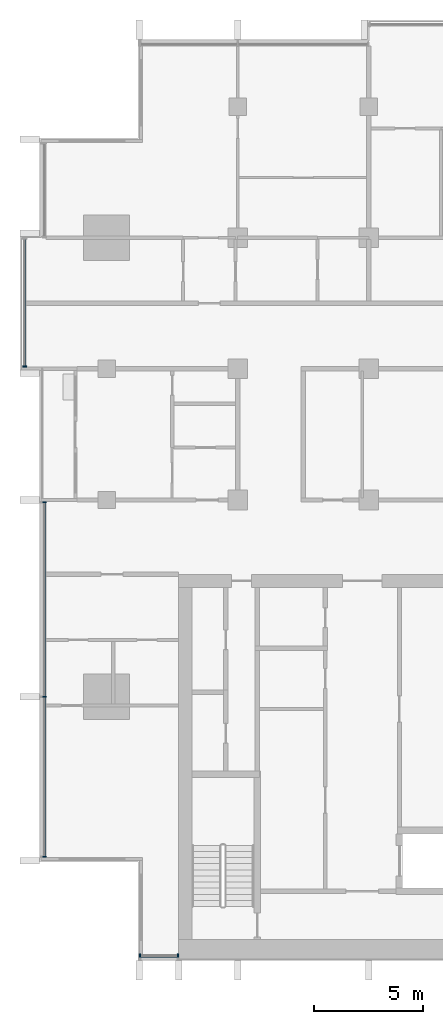
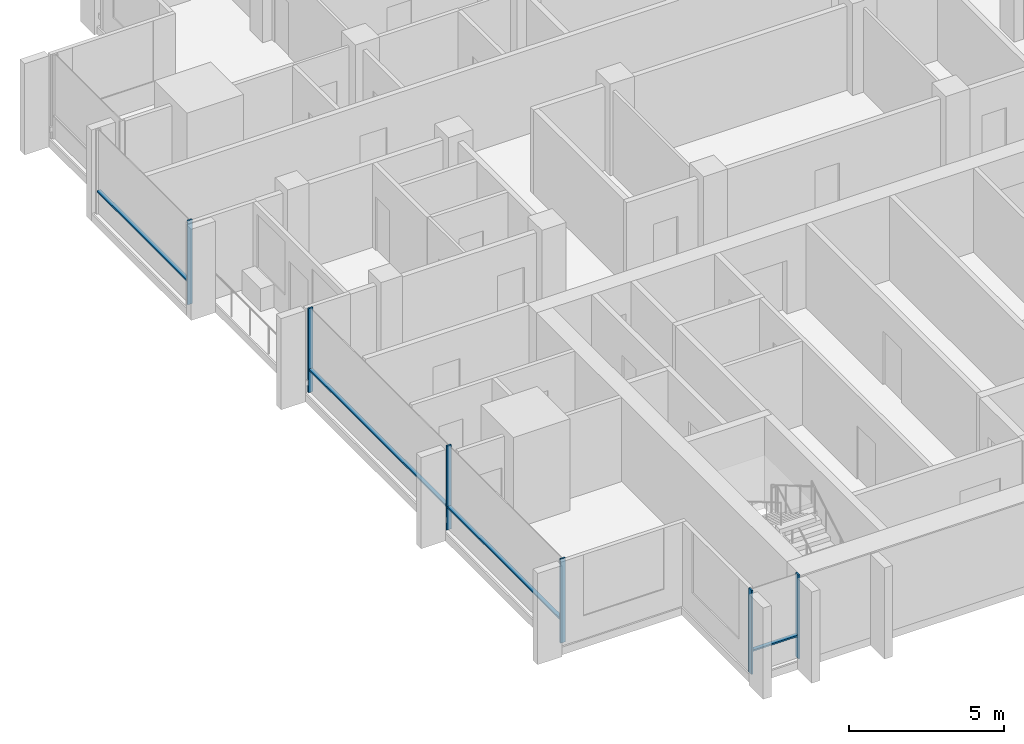
# One storey, part 2 of 16: 10 members, 3 elements without a shape of their own.
"""IFC4 building model written with IfcOpenShell, lengths in metres."""

from ifc_helpers import new_model, si_unit, direction, frame, origin, origin_2d, place, context, subcontext, project, spatial, rectangle, extrude, material, material_profile, profile_set, type_object, element, aggregate, save


model = new_model("IFC4")

# Units and contexts
model_context = context("Model", 3, precision=1e-05, world=origin(), true_north=direction((0.0, 1.0)))
body_context = subcontext(model_context, "Body", "Model", "MODEL_VIEW")
ifc_project = project(units=[si_unit("LENGTHUNIT", "METRE"), si_unit("AREAUNIT", "SQUARE_METRE"), si_unit("VOLUMEUNIT", "CUBIC_METRE"), si_unit("PLANEANGLEUNIT", "RADIAN"), si_unit("MASSUNIT", "GRAM", prefix="KILO")], contexts=[model_context])

# Site, building, storey
site_placement = place(None, origin())
site = spatial("IfcSite", under=ifc_project, at=site_placement, CompositionType="ELEMENT")
building_placement = place(site_placement, origin())
building = spatial("IfcBuilding", under=site, at=building_placement, Name="Finial Court Residences", CompositionType="ELEMENT")
storey_placement = place(building_placement, frame((0.0, 0.0, 233.89990234375)))
storey = spatial("IfcBuildingStorey", under=building, at=storey_placement, Name="L59", CompositionType="ELEMENT", Elevation=233.89990234375)

# Curtain wall, members
ifc_material = material(Name="Bronze anodised aluminium", Category="aluminium")
curtain_wall_type = type_object("IfcCurtainWallType", Name="Unitised curtain wall, upper zones", PredefinedType="NOTDEFINED", material=ifc_material)
curtain_wall_1_placement = place(storey_placement, origin())
curtain_wall_1 = element("IfcCurtainWall", 1, at=curtain_wall_1_placement, inside=storey, type_object=curtain_wall_type, Name="E-L59-CW-S8", PredefinedType="NOTDEFINED")
ifc_material_profile_1 = material_profile(ifc_material, rectangle(XDim=0.175048828125, YDim=0.06005859375, at=origin_2d()), Name="CW2 mullion 60 x 175")
ifc_profile_set_1 = profile_set([ifc_material_profile_1], Name="Bronze anodised aluminium")
member_type_1 = type_object("IfcMemberType", Name="CW2 mullion 60 x 175", PredefinedType="MULLION", material=ifc_profile_set_1)
member_1_placement = place(storey_placement, frame((-14.969970703125, -25.35009765625, 0.0), z_axis=(0.0, 0.0, 1.0), x_axis=(0.0, 1.0, 0.0)))
member_1 = element("IfcMember", 2, at=member_1_placement, type_object=member_type_1, Name="CW2 mullion 1", PredefinedType="MULLION", context=body_context, shape_type="SweptSolid", body=[
    extrude(rectangle(XDim=0.175048828125, YDim=0.06005859375, at=origin_2d()), origin(), (0.0, 0.0, 1.0), 3.300048828125),
])
member_2_placement = place(storey_placement, frame((-13.22998046875, -25.35009765625, 0.0), z_axis=(0.0, 0.0, 1.0), x_axis=(0.0, 1.0, 0.0)))
member_2 = element("IfcMember", 3, at=member_2_placement, type_object=member_type_1, Name="CW2 mullion 2", PredefinedType="MULLION", context=body_context, shape_type="SweptSolid", body=[
    extrude(rectangle(XDim=0.175048828125, YDim=0.06005859375, at=origin_2d()), origin(), (0.0, 0.0, 1.0), 3.300048828125),
])

curtain_wall_2_placement = place(storey_placement, origin())
curtain_wall_2 = element("IfcCurtainWall", 4, at=curtain_wall_2_placement, inside=storey, type_object=curtain_wall_type, Name="E-L59-CW-W10", PredefinedType="NOTDEFINED")
member_3_placement = place(storey_placement, frame((-19.35009765625, -20.820068359375, 0.0), z_axis=(0.0, 0.0, 1.0), x_axis=(-1.0, 0.0, 0.0)))
member_3 = element("IfcMember", 5, at=member_3_placement, type_object=member_type_1, Name="CW2 mullion 1", PredefinedType="MULLION", context=body_context, shape_type="SweptSolid", body=[
    extrude(rectangle(XDim=0.175048828125, YDim=0.06005859375, at=origin_2d()), origin(), (0.0, 0.0, 1.0), 3.300048828125),
])
member_4_placement = place(storey_placement, frame((-19.35009765625, -13.5, 0.0), z_axis=(0.0, 0.0, 1.0), x_axis=(-1.0, 0.0, 0.0)))
member_4 = element("IfcMember", 6, at=member_4_placement, type_object=member_type_1, Name="CW2 mullion 2", PredefinedType="MULLION", context=body_context, shape_type="SweptSolid", body=[
    extrude(rectangle(XDim=0.175048828125, YDim=0.06005859375, at=origin_2d()), origin(), (0.0, 0.0, 1.0), 3.300048828125),
])
member_5_placement = place(storey_placement, frame((-19.35009765625, -4.60498046875, 0.0), z_axis=(0.0, 0.0, 1.0), x_axis=(-1.0, 0.0, 0.0)))
member_5 = element("IfcMember", 7, at=member_5_placement, type_object=member_type_1, Name="CW2 mullion 3", PredefinedType="MULLION", context=body_context, shape_type="SweptSolid", body=[
    extrude(rectangle(XDim=0.175048828125, YDim=0.06005859375, at=origin_2d()), origin(), (0.0, 0.0, 1.0), 3.300048828125),
])

# Curtain wall, member
curtain_wall_3_placement = place(storey_placement, origin())
curtain_wall_3 = element("IfcCurtainWall", 8, at=curtain_wall_3_placement, inside=storey, type_object=curtain_wall_type, Name="E-L59-CW-W11", PredefinedType="NOTDEFINED")
member_6_placement = place(storey_placement, frame((-20.25, 1.60498046875, 0.0), z_axis=(0.0, 0.0, 1.0), x_axis=(-1.0, 0.0, 0.0)))
member_6 = element("IfcMember", 9, at=member_6_placement, type_object=member_type_1, Name="CW2 mullion 1", PredefinedType="MULLION", context=body_context, shape_type="SweptSolid", body=[
    extrude(rectangle(XDim=0.175048828125, YDim=0.06005859375, at=origin_2d()), origin(), (0.0, 0.0, 1.0), 3.300048828125),
])

# Member
ifc_material_profile_2 = material_profile(ifc_material, rectangle(XDim=0.139892578125, YDim=0.06005859375, at=origin_2d()), Name="CW2 transom 60 x 140")
ifc_profile_set_2 = profile_set([ifc_material_profile_2], Name="Bronze anodised aluminium")
member_type_2 = type_object("IfcMemberType", Name="CW2 transom 60 x 140", PredefinedType="USERDEFINED", material=ifc_profile_set_2)
member_7_placement = place(storey_placement, frame((-14.93994140625, -25.35009765625, 0.900146484375), z_axis=(1.0, 0.0, 0.0), x_axis=(0.0, 1.0, 0.0)))
member_7 = element("IfcMember", 10, at=member_7_placement, type_object=member_type_2, Name="CW2 transom 1.1", ObjectType="TRANSOM", PredefinedType="USERDEFINED", context=body_context, shape_type="SweptSolid", body=[
    extrude(rectangle(XDim=0.139892578125, YDim=0.06005859375, at=origin_2d()), origin(), (0.0, 0.0, 1.0), 1.679931640625),
])

aggregate(curtain_wall_1, [member_1, member_2, member_7])

member_8_placement = place(storey_placement, frame((-19.35009765625, -20.7900390625, 0.900146484375), z_axis=(0.0, 1.0, 0.0), x_axis=(-1.0, 0.0, 0.0)))
member_8 = element("IfcMember", 11, at=member_8_placement, type_object=member_type_2, Name="CW2 transom 1.1", ObjectType="TRANSOM", PredefinedType="USERDEFINED", context=body_context, shape_type="SweptSolid", body=[
    extrude(rectangle(XDim=0.139892578125, YDim=0.06005859375, at=origin_2d()), origin(), (0.0, 0.0, 1.0), 7.260009765625),
])

member_9_placement = place(storey_placement, frame((-19.35009765625, -13.469970703125, 0.900146484375), z_axis=(0.0, 1.0, 0.0), x_axis=(-1.0, 0.0, 0.0)))
member_9 = element("IfcMember", 12, at=member_9_placement, type_object=member_type_2, Name="CW2 transom 2.1", ObjectType="TRANSOM", PredefinedType="USERDEFINED", context=body_context, shape_type="SweptSolid", body=[
    extrude(rectangle(XDim=0.139892578125, YDim=0.06005859375, at=origin_2d()), origin(), (0.0, 0.0, 1.0), 8.8349609375),
])

aggregate(curtain_wall_2, [member_3, member_4, member_5, member_8, member_9])

member_10_placement = place(storey_placement, frame((-20.25, 1.635009765625, 0.900146484375), z_axis=(0.0, 1.0, 0.0), x_axis=(-1.0, 0.0, 0.0)))
member_10 = element("IfcMember", 13, at=member_10_placement, type_object=member_type_2, Name="CW2 transom 1.1", ObjectType="TRANSOM", PredefinedType="USERDEFINED", context=body_context, shape_type="SweptSolid", body=[
    extrude(rectangle(XDim=0.139892578125, YDim=0.06005859375, at=origin_2d()), origin(), (0.0, 0.0, 1.0), 5.804931640625),
])

aggregate(curtain_wall_3, [member_6, member_10])

save(model, "model.ifc")
